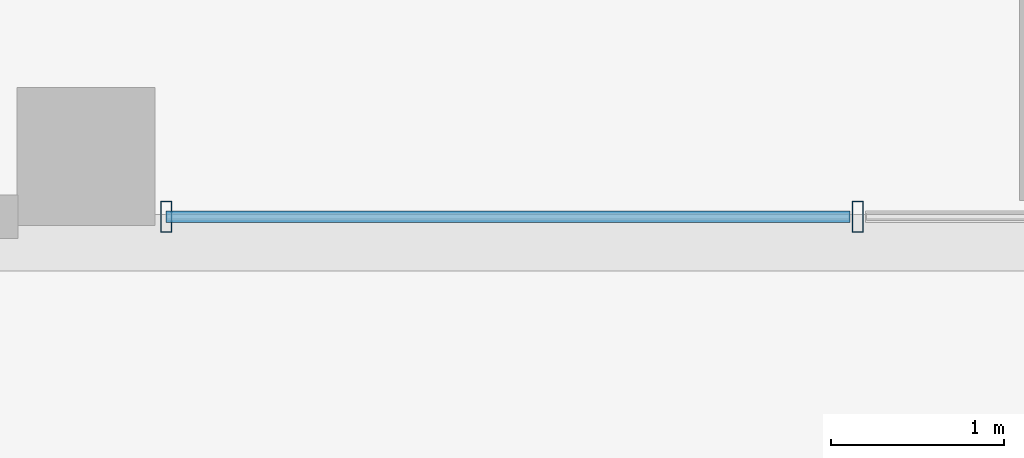
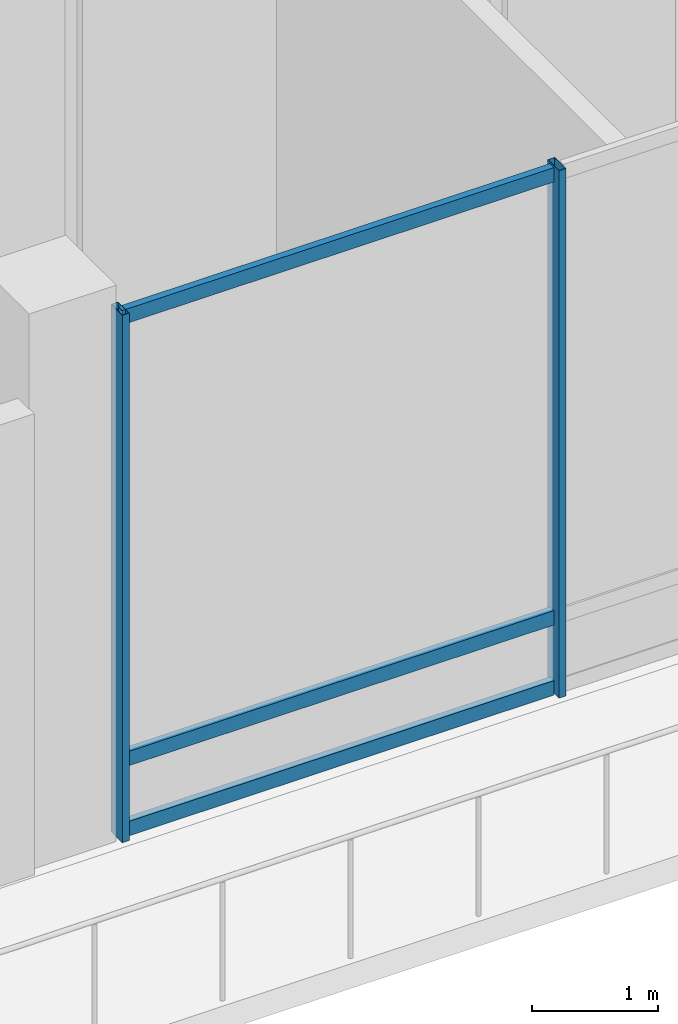
# One storey, part 3 of 32: 5 members, 1 element without a shape of its own.
"""IFC4 building model written with IfcOpenShell, lengths in metres."""

from ifc_helpers import new_model, si_unit, direction, frame, origin, origin_2d, place, context, subcontext, project, spatial, hollow_rectangle, extrude, material, layer, layer_set, material_profile, profile_set, type_object, element, aggregate, save


model = new_model("IFC4")

# Units and contexts
model_context = context("Model", 3, precision=1e-05, world=origin(), true_north=direction((0.0, 1.0)))
body_context = subcontext(model_context, "Body", "Model", "MODEL_VIEW")
ifc_project = project(units=[si_unit("LENGTHUNIT", "METRE"), si_unit("AREAUNIT", "SQUARE_METRE"), si_unit("VOLUMEUNIT", "CUBIC_METRE"), si_unit("PLANEANGLEUNIT", "RADIAN"), si_unit("MASSUNIT", "GRAM", prefix="KILO")], contexts=[model_context])

# Site, building, storey
site_placement = place(None, origin())
site = spatial("IfcSite", under=ifc_project, at=site_placement, CompositionType="ELEMENT")
building_placement = place(site_placement, origin())
building = spatial("IfcBuilding", under=site, at=building_placement, Name="Barlavira Tower and Art Museum", CompositionType="ELEMENT")
storey_placement = place(building_placement, frame((0.0, 0.0, 6.0)))
storey = spatial("IfcBuildingStorey", under=building, at=storey_placement, Name="L01", CompositionType="ELEMENT", Elevation=6.0)

# Curtain wall, members
ifc_material_1 = material(Name="Low-iron coastal laminated glass", Category="glass")
ifc_layer = layer(ifc_material_1, 0.179931640625, Name="Low-iron coastal laminated glass")
ifc_layer_set = layer_set([ifc_layer], Name="Low-iron coastal laminated glass")
curtain_wall_type = type_object("IfcCurtainWallType", Name="Pale-Metal Unitised Curtain Wall Zone 1", PredefinedType="NOTDEFINED", material=ifc_layer_set)
curtain_wall_placement = place(storey_placement, origin())
curtain_wall = element("IfcCurtainWall", 1, at=curtain_wall_placement, inside=storey, type_object=curtain_wall_type, Name="L01 Curtain Wall CW1-L01-S-B2", PredefinedType="NOTDEFINED")
ifc_material_2 = material(Name="Pale anodised aluminium", Category="aluminium")
ifc_material_profile_1 = material_profile(ifc_material_2, hollow_rectangle(XDim=0.06494140625, YDim=0.179931640625, WallThickness=0.00390625, at=origin_2d()), Name="ALU-MULL 65x180x4")
ifc_profile_set_1 = profile_set([ifc_material_profile_1], Name="Pale anodised aluminium")
member_type_1 = type_object("IfcMemberType", Name="Curtain Wall Pale-Metal Mullion 65x180", PredefinedType="MULLION", material=ifc_profile_set_1)
member_1_placement = place(storey_placement, frame((-6.034912109375, -25.35009765625, 0.0), z_axis=(0.0, 0.0, 1.0), x_axis=(1.0, 0.0, 0.0)))
member_1 = element("IfcMember", 2, at=member_1_placement, type_object=member_type_1, Name="CW1-L01-S-B2 Mullion 0", PredefinedType="MULLION", context=body_context, shape_type="SweptSolid", body=[
    extrude(hollow_rectangle(XDim=0.06494140625, YDim=0.179931640625, WallThickness=0.00390625, at=origin_2d()), origin(), (0.0, 0.0, 1.0), 5.1201171875),
])
member_2_placement = place(storey_placement, frame((-2.026611328125, -25.35009765625, 0.0), z_axis=(0.0, 0.0, 1.0), x_axis=(1.0, 0.0, 0.0)))
member_2 = element("IfcMember", 3, at=member_2_placement, type_object=member_type_1, Name="CW1-L01-S-B2 Mullion 1", PredefinedType="MULLION", context=body_context, shape_type="SweptSolid", body=[
    extrude(hollow_rectangle(XDim=0.06494140625, YDim=0.179931640625, WallThickness=0.00390625, at=origin_2d()), origin(), (0.0, 0.0, 1.0), 5.1201171875),
])
ifc_material_profile_2 = material_profile(ifc_material_2, hollow_rectangle(XDim=0.06494140625, YDim=0.139892578125, WallThickness=0.00390625, at=origin_2d()), Name="ALU-TRAN 65x140x4")
ifc_profile_set_2 = profile_set([ifc_material_profile_2], Name="Pale anodised aluminium")
member_type_2 = type_object("IfcMemberType", Name="Curtain Wall Pale-Metal Transom 65x140", PredefinedType="USERDEFINED", material=ifc_profile_set_2)
member_3_placement = place(storey_placement, frame((-6.034912109375, -25.35009765625, 0.070068359375), z_axis=(1.0, 0.0, 0.0), x_axis=(0.0, 1.0, 0.0)))
member_3 = element("IfcMember", 4, at=member_3_placement, type_object=member_type_2, Name="CW1-L01-S-B2 Transom 0.1", ObjectType="TRANSOM", PredefinedType="USERDEFINED", context=body_context, shape_type="SweptSolid", body=[
    extrude(hollow_rectangle(XDim=0.06494140625, YDim=0.139892578125, WallThickness=0.00390625, at=origin_2d()), origin(), (0.0, 0.0, 1.0), 3.963134765625),
])
member_4_placement = place(storey_placement, frame((-6.034912109375, -25.35009765625, 0.75), z_axis=(1.0, 0.0, 0.0), x_axis=(0.0, 1.0, 0.0)))
member_4 = element("IfcMember", 5, at=member_4_placement, type_object=member_type_2, Name="CW1-L01-S-B2 Transom 0.2", ObjectType="TRANSOM", PredefinedType="USERDEFINED", context=body_context, shape_type="SweptSolid", body=[
    extrude(hollow_rectangle(XDim=0.06494140625, YDim=0.139892578125, WallThickness=0.00390625, at=origin_2d()), origin(), (0.0, 0.0, 1.0), 3.963134765625),
])
member_5_placement = place(storey_placement, frame((-6.034912109375, -25.35009765625, 5.050048828125), z_axis=(1.0, 0.0, 0.0), x_axis=(0.0, 1.0, 0.0)))
member_5 = element("IfcMember", 6, at=member_5_placement, type_object=member_type_2, Name="CW1-L01-S-B2 Transom 0.3", ObjectType="TRANSOM", PredefinedType="USERDEFINED", context=body_context, shape_type="SweptSolid", body=[
    extrude(hollow_rectangle(XDim=0.06494140625, YDim=0.139892578125, WallThickness=0.00390625, at=origin_2d()), origin(), (0.0, 0.0, 1.0), 3.963134765625),
])
aggregate(curtain_wall, [member_1, member_2, member_3, member_4, member_5])

save(model, "model.ifc")
